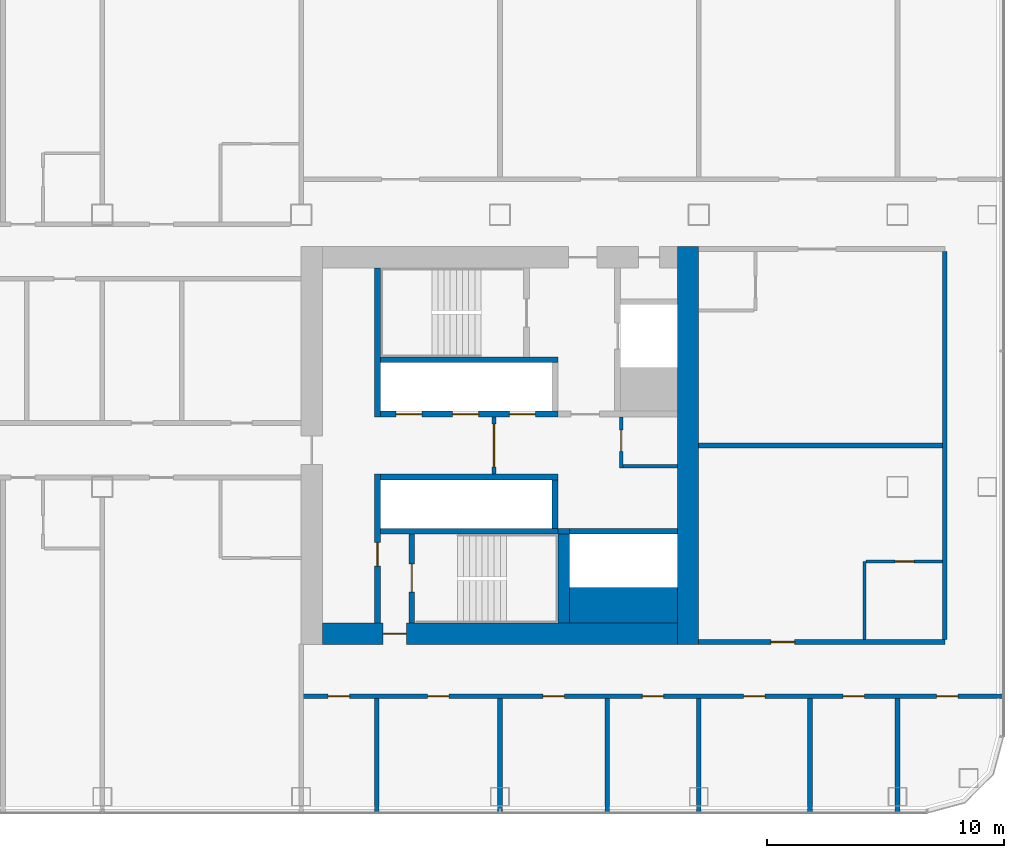
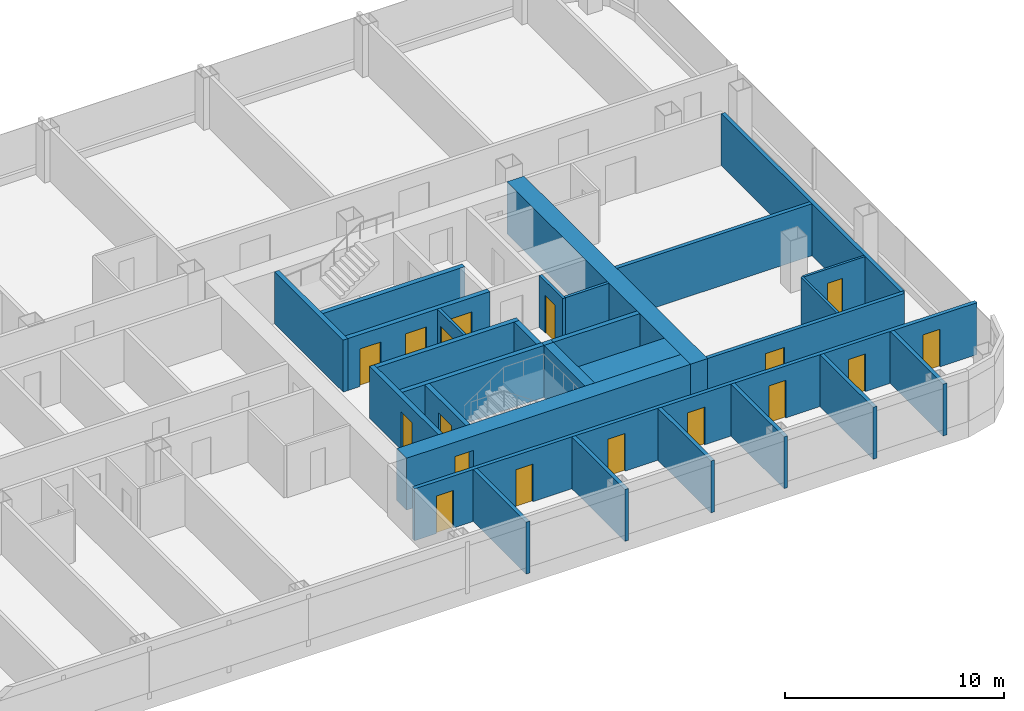
# One storey, part 19 of 29: 29 walls, 17 doors, 17 openings.
"""IFC4 building model written with IfcOpenShell, lengths in metres."""

from ifc_helpers import new_model, si_unit, direction, frame, frame_2d, origin, place, context, subcontext, project, spatial, rectangle, extrude, material, layer, layer_set, type_object, element, fill, save


model = new_model("IFC4")

# Units and contexts
model_context = context("Model", 3, precision=1e-05, world=origin(), true_north=direction((0.0, 1.0)))
body_context = subcontext(model_context, "Body", "Model", "MODEL_VIEW")
ifc_project = project(units=[si_unit("LENGTHUNIT", "METRE"), si_unit("AREAUNIT", "SQUARE_METRE"), si_unit("VOLUMEUNIT", "CUBIC_METRE"), si_unit("PLANEANGLEUNIT", "RADIAN"), si_unit("MASSUNIT", "GRAM", prefix="KILO")], contexts=[model_context])

# Site, building, storey
site_placement = place(None, origin())
site = spatial("IfcSite", under=ifc_project, at=site_placement, CompositionType="ELEMENT")
building_placement = place(site_placement, origin())
building = spatial("IfcBuilding", under=site, at=building_placement, Name="Hakoniwa Tower and Hamabe Station Hall", CompositionType="ELEMENT")
storey_placement = place(building_placement, frame((0.0, 0.0, 117.0)))
storey = spatial("IfcBuildingStorey", under=building, at=storey_placement, Name="L33", CompositionType="ELEMENT", Elevation=117.0)

# Wall, opening, door
ifc_material_1 = material(Name="Gypsum board partition", Category="gypsum")
ifc_layer_1 = layer(ifc_material_1, 0.125)
ifc_layer_set_1 = layer_set([ifc_layer_1], Name="Bathroom Partition 125")
wall_type_1 = type_object("IfcWallType", Name="Bathroom Partition 125", PredefinedType="PARTITIONING", material=ifc_layer_set_1)
wall_1_placement = place(storey_placement, frame((40.66259765625, -4.89990234375, 0.0), z_axis=(0.0, 0.0, 1.0), x_axis=(1.0, 0.0, 0.0)))
wall_1 = element("IfcWall", 1, at=wall_1_placement, inside=storey, type_object=wall_type_1, Name="GW-L33-005", PredefinedType="PARTITIONING", context=body_context, shape_type="SweptSolid", body=[
    extrude(rectangle(XDim=3.2373046875, YDim=0.125, at=frame_2d((1.61865234375, 0.0))), origin(), (0.0, 0.0, 1.0), 2.89990234375),
])
opening_1_placement = place(wall_1_placement, frame((1.237548828125, 0.0, 0.0)))
opening_1 = element("IfcOpeningElement", 2, at=opening_1_placement, cuts=wall_1, Name="Opening GD-G2D2-18", PredefinedType="OPENING", context=body_context, shape_type="SweptSolid", body=[
    extrude(rectangle(XDim=0.800048828125, YDim=2.10009765625, at=frame_2d((0.39990234375, 1.050048828125))), frame((0.0, 0.072509765625, 0.0), z_axis=(0.0, -1.0, 0.0), x_axis=(1.0, 0.0, 0.0)), (0.0, 0.0, 1.0), 0.14501953125),
])
ifc_material_2 = material(Name="Timber door leaf", Category="wood")
door_type_1 = type_object("IfcDoorType", Name="Bathroom Door 800", OperationType="SINGLE_SWING_LEFT", PredefinedType="DOOR", material=ifc_material_2)
door_1_placement = place(opening_1_placement, origin())
door_1 = element("IfcDoor", 3, at=door_1_placement, inside=storey, type_object=door_type_1, Name="Door GD-G2D2-18", OperationType="SINGLE_SWING_LEFT", OverallHeight=2.10009765625, OverallWidth=0.800048828125, PredefinedType="DOOR", context=body_context, shape_type="SweptSolid", body=[
    extrude(rectangle(XDim=0.800048828125, YDim=2.10009765625, at=frame_2d((0.39990234375, 1.050048828125))), frame((0.0, 0.02490234375, 0.0), z_axis=(0.0, -1.0, 0.0), x_axis=(1.0, 0.0, 0.0)), (0.0, 0.0, 1.0), 0.050048828125),
])
fill(opening_1, door_1)

# Wall
wall_2_placement = place(storey_placement, frame((40.60009765625, -8.199951171875, 0.0), z_axis=(0.0, 0.0, 1.0), x_axis=(0.0, 1.0, 0.0)))
element("IfcWall", 4, at=wall_2_placement, inside=storey, type_object=wall_type_1, Name="GW-L33-083", PredefinedType="PARTITIONING", context=body_context, shape_type="SweptSolid", body=[
    extrude(rectangle(XDim=3.300048828125, YDim=0.125, at=frame_2d((1.64990234375, 0.0))), origin(), (0.0, 0.0, 1.0), 2.89990234375),
])

# Wall, opening, door
ifc_material_3 = material(Name="Gypsum board partition")
ifc_layer_2 = layer(ifc_material_3, 0.14990234375)
ifc_layer_set_2 = layer_set([ifc_layer_2], Name="CORE PARTITION 150 EI 60")
wall_type_2 = type_object("IfcWallType", Name="CORE PARTITION 150 EI 60", PredefinedType="PARTITIONING", material=ifc_layer_set_2)
wall_3_placement = place(storey_placement, frame((24.949951171875, -1.199951171875, 0.0), z_axis=(0.0, 0.0, 1.0), x_axis=(0.0, 1.0, 0.0)))
wall_3 = element("IfcWall", 5, at=wall_3_placement, inside=storey, type_object=wall_type_2, Name="Core partition PL0 east", PredefinedType="PARTITIONING", context=body_context, shape_type="SweptSolid", body=[
    extrude(rectangle(XDim=2.39990234375, YDim=0.14990234375, at=frame_2d((1.199951171875, 0.0))), origin(), (0.0, 0.0, 1.0), 2.89990234375),
])
opening_2_placement = place(wall_3_placement, frame((0.300048828125, 0.0, 0.0)))
opening_2 = element("IfcOpeningElement", 6, at=opening_2_placement, cuts=wall_3, Name="Opening CD-E-LP0-18", PredefinedType="OPENING", context=body_context, shape_type="SweptSolid", body=[
    extrude(rectangle(XDim=1.800048828125, YDim=2.10009765625, at=frame_2d((0.89990234375, 1.050048828125))), frame((0.0, 0.0849609375, 0.0), z_axis=(0.0, -1.0, 0.0), x_axis=(1.0, 0.0, 0.0)), (0.0, 0.0, 1.0), 0.169921875),
])
ifc_material_4 = material(Name="Steel fire door", Category="steel")
door_type_2 = type_object("IfcDoorType", Name="CORE DOOR 1800 FD60", OperationType="DOUBLE_DOOR_SINGLE_SWING", PredefinedType="DOOR", material=ifc_material_4)
door_2_placement = place(opening_2_placement, origin())
door_2 = element("IfcDoor", 7, at=door_2_placement, inside=storey, type_object=door_type_2, Name="Lift lobby partition door", OperationType="DOUBLE_DOOR_SINGLE_SWING", OverallHeight=2.10009765625, OverallWidth=1.800048828125, PredefinedType="DOOR", context=body_context, shape_type="SweptSolid", body=[
    extrude(rectangle(XDim=1.800048828125, YDim=2.10009765625, at=frame_2d((0.89990234375, 1.050048828125))), frame((0.0, 0.02490234375, 0.0), z_axis=(0.0, -1.0, 0.0), x_axis=(1.0, 0.0, 0.0)), (0.0, 0.0, 1.0), 0.050048828125),
])
fill(opening_2, door_2)

wall_4_placement = place(storey_placement, frame((30.324951171875, -0.949951171875, 0.0), z_axis=(0.0, 0.0, 1.0), x_axis=(0.0, 1.0, 0.0)))
wall_4 = element("IfcWall", 8, at=wall_4_placement, inside=storey, type_object=wall_type_2, Name="Core partition PW0 east", PredefinedType="PARTITIONING", context=body_context, shape_type="SweptSolid", body=[
    extrude(rectangle(XDim=2.14990234375, YDim=0.14990234375, at=frame_2d((1.074951171875, 0.0))), origin(), (0.0, 0.0, 1.0), 2.89990234375),
])
opening_3_placement = place(wall_4_placement, frame((0.699951171875, 0.0, 0.0)))
opening_3 = element("IfcOpeningElement", 9, at=opening_3_placement, cuts=wall_4, Name="Opening CD-E-RM1-9", PredefinedType="OPENING", context=body_context, shape_type="SweptSolid", body=[
    extrude(rectangle(XDim=0.89990234375, YDim=2.10009765625, at=frame_2d((0.449951171875, 1.050048828125))), frame((0.0, 0.0849609375, 0.0), z_axis=(0.0, -1.0, 0.0), x_axis=(1.0, 0.0, 0.0)), (0.0, 0.0, 1.0), 0.169921875),
])
ifc_material_5 = material(Name="Steel fire door", Category="steel")
door_type_3 = type_object("IfcDoorType", Name="CORE DOOR 900 FD30", OperationType="NOTDEFINED", PredefinedType="DOOR", material=ifc_material_5)
door_3_placement = place(opening_3_placement, origin())
door_3 = element("IfcDoor", 10, at=door_3_placement, inside=storey, type_object=door_type_3, Name="Store room door", OperationType="SINGLE_SWING_LEFT", OverallHeight=2.10009765625, OverallWidth=0.89990234375, PredefinedType="DOOR", context=body_context, shape_type="SweptSolid", body=[
    extrude(rectangle(XDim=0.89990234375, YDim=2.10009765625, at=frame_2d((0.449951171875, 1.050048828125))), frame((0.0, 0.02490234375, 0.0), z_axis=(0.0, -1.0, 0.0), x_axis=(1.0, 0.0, 0.0)), (0.0, 0.0, 1.0), 0.050048828125),
])
fill(opening_3, door_3)

# Walls
wall_5_placement = place(storey_placement, frame((30.39990234375, -0.875, 0.0), z_axis=(0.0, 0.0, 1.0), x_axis=(1.0, 0.0, 0.0)))
element("IfcWall", 11, at=wall_5_placement, inside=storey, type_object=wall_type_2, Name="Core partition PS east", PredefinedType="PARTITIONING", context=body_context, shape_type="SweptSolid", body=[
    extrude(rectangle(XDim=2.300048828125, YDim=0.14990234375, at=frame_2d((1.14990234375, 0.0))), origin(), (0.0, 0.0, 1.0), 2.89990234375),
])
ifc_material_6 = material(Name="Concrete C72", Category="concrete")
ifc_layer_3 = layer(ifc_material_6, 0.89990234375)
ifc_layer_set_3 = layer_set([ifc_layer_3], Name="CORE WALL 900 C72")
wall_type_3 = type_object("IfcWallType", Name="CORE WALL 900 C72", PredefinedType="SHEAR", material=ifc_layer_set_3)
wall_6_placement = place(storey_placement, frame((33.14990234375, -8.39990234375, 0.0), z_axis=(0.0, 0.0, 1.0), x_axis=(0.0, 1.0, 0.0)))
element("IfcWall", 12, at=wall_6_placement, inside=storey, type_object=wall_type_3, Name="Core wall OUTER east", PredefinedType="SHEAR", context=body_context, shape_type="SweptSolid", body=[
    extrude(rectangle(XDim=16.7998046875, YDim=0.89990234375, at=frame_2d((8.39990234375, 0.0))), origin(), (0.0, 0.0, 1.0), 2.89990234375),
])

# Wall, opening, door
wall_7_placement = place(storey_placement, frame((17.699951171875, -7.949951171875, 0.0), z_axis=(0.0, 0.0, 1.0), x_axis=(1.0, 0.0, 0.0)))
wall_7 = element("IfcWall", 13, at=wall_7_placement, inside=storey, type_object=wall_type_3, Name="Core wall SOUTH east", PredefinedType="SHEAR", context=body_context, shape_type="SweptSolid", body=[
    extrude(rectangle(XDim=15.0, YDim=0.89990234375, at=frame_2d((7.5, 0.0))), origin(), (0.0, 0.0, 1.0), 2.89990234375),
])
opening_4_placement = place(wall_7_placement, frame((2.550048828125, 0.0, 0.0)))
opening_4 = element("IfcOpeningElement", 14, at=opening_4_placement, cuts=wall_7, Name="Opening CD-E-FS3-10", PredefinedType="OPENING", context=body_context, shape_type="SweptSolid", body=[
    extrude(rectangle(XDim=1.0, YDim=2.10009765625, at=frame_2d((0.5, 1.050048828125))), frame((0.0, 0.4599609375, 0.0), z_axis=(0.0, -1.0, 0.0), x_axis=(1.0, 0.0, 0.0)), (0.0, 0.0, 1.0), 0.919921875),
])
ifc_material_7 = material(Name="Steel fire door", Category="steel")
door_type_4 = type_object("IfcDoorType", Name="CORE DOOR 1000 FD60", OperationType="NOTDEFINED", PredefinedType="DOOR", material=ifc_material_7)
door_4_placement = place(opening_4_placement, origin())
door_4 = element("IfcDoor", 15, at=door_4_placement, inside=storey, type_object=door_type_4, Name="Stair vestibule door", OperationType="SINGLE_SWING_RIGHT", OverallHeight=2.10009765625, OverallWidth=1.0, PredefinedType="DOOR", context=body_context, shape_type="SweptSolid", body=[
    extrude(rectangle(XDim=1.0, YDim=2.10009765625, at=frame_2d((0.5, 1.050048828125))), frame((0.0, 0.02490234375, 0.0), z_axis=(0.0, -1.0, 0.0), x_axis=(1.0, 0.0, 0.0)), (0.0, 0.0, 1.0), 0.050048828125),
])
fill(opening_4, door_4)

# Walls
ifc_material_8 = material(Name="Concrete C72", Category="concrete")
ifc_layer_4 = layer(ifc_material_8, 1.5)
ifc_layer_set_4 = layer_set([ifc_layer_4], Name="CORE WEB WALL 1500 C72")
wall_type_4 = type_object("IfcWallType", Name="CORE WEB WALL 1500 C72", PredefinedType="SHEAR", material=ifc_layer_set_4)
wall_8_placement = place(storey_placement, frame((28.14990234375, -6.75, 0.0), z_axis=(0.0, 0.0, 1.0), x_axis=(1.0, 0.0, 0.0)))
element("IfcWall", 16, at=wall_8_placement, inside=storey, type_object=wall_type_4, Name="Core wall SER east", PredefinedType="SHEAR", context=body_context, shape_type="SweptSolid", body=[
    extrude(rectangle(XDim=4.550048828125, YDim=1.5, at=frame_2d((2.27490234375, 0.0))), origin(), (0.0, 0.0, 1.0), 2.89990234375),
])
ifc_material_9 = material(Name="Concrete C72", Category="concrete")
ifc_layer_5 = layer(ifc_material_9, 0.25)
ifc_layer_set_5 = layer_set([ifc_layer_5], Name="CORE WEB WALL 250 C72")
wall_type_5 = type_object("IfcWallType", Name="CORE WEB WALL 250 C72", PredefinedType="SHEAR", material=ifc_layer_set_5)
wall_9_placement = place(storey_placement, frame((20.02490234375, 1.199951171875, 0.0), z_axis=(0.0, 0.0, 1.0), x_axis=(0.0, 1.0, 0.0)))
element("IfcWall", 17, at=wall_9_placement, inside=storey, type_object=wall_type_5, Name="Core wall W1N east", PredefinedType="SHEAR", context=body_context, shape_type="SweptSolid", body=[
    extrude(rectangle(XDim=6.300048828125, YDim=0.25, at=frame_2d((3.14990234375, 0.0))), origin(), (0.0, 0.0, 1.0), 2.89990234375),
])

# Wall, opening, door
wall_10_placement = place(storey_placement, frame((20.02490234375, -7.5, 0.0), z_axis=(0.0, 0.0, 1.0), x_axis=(0.0, 1.0, 0.0)))
wall_10 = element("IfcWall", 18, at=wall_10_placement, inside=storey, type_object=wall_type_5, Name="Core wall W1S east", PredefinedType="SHEAR", context=body_context, shape_type="SweptSolid", body=[
    extrude(rectangle(XDim=6.300048828125, YDim=0.25, at=frame_2d((3.14990234375, 0.0))), origin(), (0.0, 0.0, 1.0), 2.89990234375),
])
opening_5_placement = place(wall_10_placement, frame((2.39990234375, 0.0, 0.0)))
opening_5 = element("IfcOpeningElement", 19, at=opening_5_placement, cuts=wall_10, Name="Opening CD-E-VS-10", PredefinedType="OPENING", context=body_context, shape_type="SweptSolid", body=[
    extrude(rectangle(XDim=1.0, YDim=2.10009765625, at=frame_2d((0.5, 1.050048828125))), frame((0.0, 0.135009765625, 0.0), z_axis=(0.0, -1.0, 0.0), x_axis=(1.0, 0.0, 0.0)), (0.0, 0.0, 1.0), 0.27001953125),
])
door_5_placement = place(opening_5_placement, origin())
door_5 = element("IfcDoor", 20, at=door_5_placement, inside=storey, type_object=door_type_4, Name="Stair vestibule door", OperationType="SINGLE_SWING_RIGHT", OverallHeight=2.10009765625, OverallWidth=1.0, PredefinedType="DOOR", context=body_context, shape_type="SweptSolid", body=[
    extrude(rectangle(XDim=1.0, YDim=2.10009765625, at=frame_2d((0.5, 1.050048828125))), frame((0.0, 0.02490234375, 0.0), z_axis=(0.0, -1.0, 0.0), x_axis=(1.0, 0.0, 0.0)), (0.0, 0.0, 1.0), 0.050048828125),
])
fill(opening_5, door_5)

# Wall, openings, doors
wall_11_placement = place(storey_placement, frame((20.14990234375, 1.324951171875, 0.0), z_axis=(0.0, 0.0, 1.0), x_axis=(1.0, 0.0, 0.0)))
wall_11 = element("IfcWall", 21, at=wall_11_placement, inside=storey, type_object=wall_type_5, Name="Core wall NF east", PredefinedType="SHEAR", context=body_context, shape_type="SweptSolid", body=[
    extrude(rectangle(XDim=7.5, YDim=0.25, at=frame_2d((3.75, 0.0))), origin(), (0.0, 0.0, 1.0), 2.89990234375),
])
opening_6_placement = place(wall_11_placement, frame((0.64990234375, 0.0, 0.0)))
opening_6 = element("IfcOpeningElement", 22, at=opening_6_placement, cuts=wall_11, Name="Opening LD-LR4", PredefinedType="OPENING", context=body_context, shape_type="SweptSolid", body=[
    extrude(rectangle(XDim=1.10009765625, YDim=2.10009765625, at=frame_2d((0.550048828125, 1.050048828125))), frame((0.0, 0.135009765625, 0.0), z_axis=(0.0, -1.0, 0.0), x_axis=(1.0, 0.0, 0.0)), (0.0, 0.0, 1.0), 0.27001953125),
])
opening_7_placement = place(wall_11_placement, frame((3.050048828125, 0.0, 0.0)))
opening_7 = element("IfcOpeningElement", 23, at=opening_7_placement, cuts=wall_11, Name="Opening LD-LR5", PredefinedType="OPENING", context=body_context, shape_type="SweptSolid", body=[
    extrude(rectangle(XDim=1.10009765625, YDim=2.10009765625, at=frame_2d((0.550048828125, 1.050048828125))), frame((0.0, 0.135009765625, 0.0), z_axis=(0.0, -1.0, 0.0), x_axis=(1.0, 0.0, 0.0)), (0.0, 0.0, 1.0), 0.27001953125),
])
opening_8_placement = place(wall_11_placement, frame((5.449951171875, 0.0, 0.0)))
opening_8 = element("IfcOpeningElement", 24, at=opening_8_placement, cuts=wall_11, Name="Opening LD-LR6", PredefinedType="OPENING", context=body_context, shape_type="SweptSolid", body=[
    extrude(rectangle(XDim=1.10009765625, YDim=2.10009765625, at=frame_2d((0.550048828125, 1.050048828125))), frame((0.0, 0.135009765625, 0.0), z_axis=(0.0, -1.0, 0.0), x_axis=(1.0, 0.0, 0.0)), (0.0, 0.0, 1.0), 0.27001953125),
])
ifc_material_10 = material(Name="Stainless steel SUS304", Category="steel")
door_type_5 = type_object("IfcDoorType", Name="LIFT LANDING DOOR 1100 FD60", OperationType="DOUBLE_DOOR_SLIDING", PredefinedType="DOOR", material=ifc_material_10)
door_6_placement = place(opening_6_placement, origin())
door_6 = element("IfcDoor", 25, at=door_6_placement, inside=storey, type_object=door_type_5, Name="Lift landing door LR4 L33", OperationType="DOUBLE_DOOR_SLIDING", OverallHeight=2.10009765625, OverallWidth=1.10009765625, PredefinedType="DOOR", context=body_context, shape_type="SweptSolid", body=[
    extrude(rectangle(XDim=1.10009765625, YDim=2.10009765625, at=frame_2d((0.550048828125, 1.050048828125))), frame((0.0, 0.02490234375, 0.0), z_axis=(0.0, -1.0, 0.0), x_axis=(1.0, 0.0, 0.0)), (0.0, 0.0, 1.0), 0.050048828125),
])
fill(opening_6, door_6)
door_7_placement = place(opening_7_placement, origin())
door_7 = element("IfcDoor", 26, at=door_7_placement, inside=storey, type_object=door_type_5, Name="Lift landing door LR5 L33", OperationType="DOUBLE_DOOR_SLIDING", OverallHeight=2.10009765625, OverallWidth=1.10009765625, PredefinedType="DOOR", context=body_context, shape_type="SweptSolid", body=[
    extrude(rectangle(XDim=1.10009765625, YDim=2.10009765625, at=frame_2d((0.550048828125, 1.050048828125))), frame((0.0, 0.02490234375, 0.0), z_axis=(0.0, -1.0, 0.0), x_axis=(1.0, 0.0, 0.0)), (0.0, 0.0, 1.0), 0.050048828125),
])
fill(opening_7, door_7)
door_8_placement = place(opening_8_placement, origin())
door_8 = element("IfcDoor", 27, at=door_8_placement, inside=storey, type_object=door_type_5, Name="Lift landing door LR6 L33", OperationType="DOUBLE_DOOR_SLIDING", OverallHeight=2.10009765625, OverallWidth=1.10009765625, PredefinedType="DOOR", context=body_context, shape_type="SweptSolid", body=[
    extrude(rectangle(XDim=1.10009765625, YDim=2.10009765625, at=frame_2d((0.550048828125, 1.050048828125))), frame((0.0, 0.02490234375, 0.0), z_axis=(0.0, -1.0, 0.0), x_axis=(1.0, 0.0, 0.0)), (0.0, 0.0, 1.0), 0.050048828125),
])
fill(opening_8, door_8)

# Walls
for number, where, z_axis, x_axis, name in (
    (28, (20.14990234375, 3.625, 0.0), (0.0, 0.0, 1.0), (1.0, 0.0, 0.0), "Core wall NR east"),
    (29, (20.14990234375, -1.324951171875, 0.0), (0.0, 0.0, 1.0), (1.0, 0.0, 0.0), "Core wall SF east"),
):
    element("IfcWall", number, at=place(storey_placement, frame(where, z_axis=z_axis, x_axis=x_axis)), inside=storey, type_object=wall_type_5, Name=name, PredefinedType="SHEAR", context=body_context, shape_type="SweptSolid", body=[
        extrude(rectangle(XDim=7.5, YDim=0.25, at=frame_2d((3.75, 0.0))), origin(), (0.0, 0.0, 1.0), 2.89990234375),
    ])
wall_12_placement = place(storey_placement, frame((27.52490234375, -3.5, 0.0), z_axis=(0.0, 0.0, 1.0), x_axis=(0.0, 1.0, 0.0)))
element("IfcWall", 30, at=wall_12_placement, inside=storey, type_object=wall_type_5, Name="Core wall SE east", PredefinedType="SHEAR", context=body_context, shape_type="SweptSolid", body=[
    extrude(rectangle(XDim=2.050048828125, YDim=0.25, at=frame_2d((1.02490234375, 0.0))), origin(), (0.0, 0.0, 1.0), 2.89990234375),
])
wall_13_placement = place(storey_placement, frame((20.14990234375, -3.625, 0.0), z_axis=(0.0, 0.0, 1.0), x_axis=(1.0, 0.0, 0.0)))
element("IfcWall", 31, at=wall_13_placement, inside=storey, type_object=wall_type_5, Name="Core wall SR east", PredefinedType="SHEAR", context=body_context, shape_type="SweptSolid", body=[
    extrude(rectangle(XDim=7.5, YDim=0.25, at=frame_2d((3.75, 0.0))), origin(), (0.0, 0.0, 1.0), 2.89990234375),
])

# Wall, opening, door
wall_14_placement = place(storey_placement, frame((21.47509765625, -7.5, 0.0), z_axis=(0.0, 0.0, 1.0), x_axis=(0.0, 1.0, 0.0)))
wall_14 = element("IfcWall", 32, at=wall_14_placement, inside=storey, type_object=wall_type_5, Name="Core wall VE east", PredefinedType="SHEAR", context=body_context, shape_type="SweptSolid", body=[
    extrude(rectangle(XDim=3.75, YDim=0.25, at=frame_2d((1.875, 0.0))), origin(), (0.0, 0.0, 1.0), 2.89990234375),
])
opening_9_placement = place(wall_14_placement, frame((1.300048828125, 0.0, 0.0)))
opening_9 = element("IfcOpeningElement", 33, at=opening_9_placement, cuts=wall_14, Name="Opening CD-E-SS-12", PredefinedType="OPENING", context=body_context, shape_type="SweptSolid", body=[
    extrude(rectangle(XDim=1.199951171875, YDim=2.10009765625, at=frame_2d((0.60009765625, 1.050048828125))), frame((0.0, 0.135009765625, 0.0), z_axis=(0.0, -1.0, 0.0), x_axis=(1.0, 0.0, 0.0)), (0.0, 0.0, 1.0), 0.27001953125),
])
ifc_material_11 = material(Name="Steel fire door", Category="steel")
door_type_6 = type_object("IfcDoorType", Name="CORE DOOR 1200 FD60", OperationType="DOUBLE_DOOR_SINGLE_SWING", PredefinedType="DOOR", material=ifc_material_11)
door_9_placement = place(opening_9_placement, origin())
door_9 = element("IfcDoor", 34, at=door_9_placement, inside=storey, type_object=door_type_6, Name="Escape stair door", OperationType="DOUBLE_DOOR_SINGLE_SWING", OverallHeight=2.10009765625, OverallWidth=1.199951171875, PredefinedType="DOOR", context=body_context, shape_type="SweptSolid", body=[
    extrude(rectangle(XDim=1.199951171875, YDim=2.10009765625, at=frame_2d((0.60009765625, 1.050048828125))), frame((0.0, 0.02490234375, 0.0), z_axis=(0.0, -1.0, 0.0), x_axis=(1.0, 0.0, 0.0)), (0.0, 0.0, 1.0), 0.050048828125),
])
fill(opening_9, door_9)

# Walls
wall_15_placement = place(storey_placement, frame((28.14990234375, -3.625, 0.0), z_axis=(0.0, 0.0, 1.0), x_axis=(1.0, 0.0, 0.0)))
element("IfcWall", 35, at=wall_15_placement, inside=storey, type_object=wall_type_5, Name="Core wall SEF east", PredefinedType="SHEAR", context=body_context, shape_type="SweptSolid", body=[
    extrude(rectangle(XDim=4.550048828125, YDim=0.25, at=frame_2d((2.27490234375, 0.0))), origin(), (0.0, 0.0, 1.0), 2.89990234375),
])
wall_16_placement = place(storey_placement, frame((27.64990234375, -3.625, 0.0), z_axis=(0.0, 0.0, 1.0), x_axis=(1.0, 0.0, 0.0)))
element("IfcWall", 36, at=wall_16_placement, inside=storey, type_object=wall_type_5, Name="Core wall SRK east", PredefinedType="SHEAR", context=body_context, shape_type="SweptSolid", body=[
    extrude(rectangle(XDim=0.5, YDim=0.25, at=frame_2d((0.25, 0.0))), origin(), (0.0, 0.0, 1.0), 2.89990234375),
])
ifc_material_12 = material(Name="Concrete C72", Category="concrete")
ifc_layer_6 = layer(ifc_material_12, 0.5)
ifc_layer_set_6 = layer_set([ifc_layer_6], Name="CORE WEB WALL 500 C72")
wall_type_6 = type_object("IfcWallType", Name="CORE WEB WALL 500 C72", PredefinedType="SHEAR", material=ifc_layer_set_6)
wall_17_placement = place(storey_placement, frame((27.89990234375, -7.5, 0.0), z_axis=(0.0, 0.0, 1.0), x_axis=(0.0, 1.0, 0.0)))
element("IfcWall", 37, at=wall_17_placement, inside=storey, type_object=wall_type_6, Name="Core wall SSE east", PredefinedType="SHEAR", context=body_context, shape_type="SweptSolid", body=[
    extrude(rectangle(XDim=3.75, YDim=0.5, at=frame_2d((1.875, 0.0))), origin(), (0.0, 0.0, 1.0), 2.89990234375),
])

# Wall, openings, doors
ifc_material_13 = material(Name="Fire-rated gypsum board partition", Category="gypsum")
ifc_layer_7 = layer(ifc_material_13, 0.199951171875)
ifc_layer_set_7 = layer_set([ifc_layer_7], Name="Corridor Wall 200")
wall_type_7 = type_object("IfcWallType", Name="Corridor Wall 200", PredefinedType="PARTITIONING", material=ifc_layer_set_7)
wall_18_placement = place(storey_placement, frame((16.800048828125, -10.60009765625, 0.0), z_axis=(0.0, 0.0, 1.0), x_axis=(1.0, 0.0, 0.0)))
wall_18 = element("IfcWall", 38, at=wall_18_placement, inside=storey, type_object=wall_type_7, Name="GW-L33-002", PredefinedType="PARTITIONING", context=body_context, shape_type="SweptSolid", body=[
    extrude(rectangle(XDim=29.699951171875, YDim=0.199951171875, at=frame_2d((14.85009765625, 0.0))), origin(), (0.0, 0.0, 1.0), 2.89990234375),
])
opening_10_placement = place(wall_18_placement, frame((1.14501953125, 0.0, 0.0)))
opening_10 = element("IfcOpeningElement", 39, at=opening_10_placement, cuts=wall_18, Name="Opening GD-G2D2-08", PredefinedType="OPENING", context=body_context, shape_type="SweptSolid", body=[
    extrude(rectangle(XDim=0.89990234375, YDim=2.10009765625, at=frame_2d((0.449951171875, 1.050048828125))), frame((0.0, 0.10986328125, 0.0), z_axis=(0.0, -1.0, 0.0), x_axis=(1.0, 0.0, 0.0)), (0.0, 0.0, 1.0), 0.219970703125),
])
opening_11_placement = place(wall_18_placement, frame((5.344970703125, 0.0, 0.0)))
opening_11 = element("IfcOpeningElement", 40, at=opening_11_placement, cuts=wall_18, Name="Opening GD-G2D2-09", PredefinedType="OPENING", context=body_context, shape_type="SweptSolid", body=[
    extrude(rectangle(XDim=0.89990234375, YDim=2.10009765625, at=frame_2d((0.449951171875, 1.050048828125))), frame((0.0, 0.10986328125, 0.0), z_axis=(0.0, -1.0, 0.0), x_axis=(1.0, 0.0, 0.0)), (0.0, 0.0, 1.0), 0.219970703125),
])
opening_12_placement = place(wall_18_placement, frame((10.219970703125, 0.0, 0.0)))
opening_12 = element("IfcOpeningElement", 41, at=opening_12_placement, cuts=wall_18, Name="Opening GD-G2D2-10", PredefinedType="OPENING", context=body_context, shape_type="SweptSolid", body=[
    extrude(rectangle(XDim=0.89990234375, YDim=2.10009765625, at=frame_2d((0.449951171875, 1.050048828125))), frame((0.0, 0.10986328125, 0.0), z_axis=(0.0, -1.0, 0.0), x_axis=(1.0, 0.0, 0.0)), (0.0, 0.0, 1.0), 0.219970703125),
])
opening_13_placement = place(wall_18_placement, frame((14.419921875, 0.0, 0.0)))
opening_13 = element("IfcOpeningElement", 42, at=opening_13_placement, cuts=wall_18, Name="Opening GD-G2D2-11", PredefinedType="OPENING", context=body_context, shape_type="SweptSolid", body=[
    extrude(rectangle(XDim=0.89990234375, YDim=2.10009765625, at=frame_2d((0.449951171875, 1.050048828125))), frame((0.0, 0.10986328125, 0.0), z_axis=(0.0, -1.0, 0.0), x_axis=(1.0, 0.0, 0.0)), (0.0, 0.0, 1.0), 0.219970703125),
])
opening_14_placement = place(wall_18_placement, frame((18.699951171875, 0.0, 0.0)))
opening_14 = element("IfcOpeningElement", 43, at=opening_14_placement, cuts=wall_18, Name="Opening GD-G2D2-12", PredefinedType="OPENING", context=body_context, shape_type="SweptSolid", body=[
    extrude(rectangle(XDim=0.89990234375, YDim=2.10009765625, at=frame_2d((0.449951171875, 1.050048828125))), frame((0.0, 0.10986328125, 0.0), z_axis=(0.0, -1.0, 0.0), x_axis=(1.0, 0.0, 0.0)), (0.0, 0.0, 1.0), 0.219970703125),
])
opening_15_placement = place(wall_18_placement, frame((22.89990234375, 0.0, 0.0)))
opening_15 = element("IfcOpeningElement", 44, at=opening_15_placement, cuts=wall_18, Name="Opening GD-G2D2-13", PredefinedType="OPENING", context=body_context, shape_type="SweptSolid", body=[
    extrude(rectangle(XDim=0.89990234375, YDim=2.10009765625, at=frame_2d((0.449951171875, 1.050048828125))), frame((0.0, 0.10986328125, 0.0), z_axis=(0.0, -1.0, 0.0), x_axis=(1.0, 0.0, 0.0)), (0.0, 0.0, 1.0), 0.219970703125),
])
opening_16_placement = place(wall_18_placement, frame((26.85009765625, 0.0, 0.0)))
opening_16 = element("IfcOpeningElement", 45, at=opening_16_placement, cuts=wall_18, Name="Opening GD-G2D2-14", PredefinedType="OPENING", context=body_context, shape_type="SweptSolid", body=[
    extrude(rectangle(XDim=0.89990234375, YDim=2.10009765625, at=frame_2d((0.449951171875, 1.050048828125))), frame((0.0, 0.10986328125, 0.0), z_axis=(0.0, -1.0, 0.0), x_axis=(1.0, 0.0, 0.0)), (0.0, 0.0, 1.0), 0.219970703125),
])
ifc_material_14 = material(Name="Timber door leaf", Category="wood")
door_type_7 = type_object("IfcDoorType", Name="Service Door 900", OperationType="SINGLE_SWING_LEFT", PredefinedType="DOOR", material=ifc_material_14)
door_10_placement = place(opening_10_placement, origin())
door_10 = element("IfcDoor", 46, at=door_10_placement, inside=storey, type_object=door_type_7, Name="Door GD-G2D2-08", OperationType="SINGLE_SWING_RIGHT", OverallHeight=2.10009765625, OverallWidth=0.89990234375, PredefinedType="DOOR", context=body_context, shape_type="SweptSolid", body=[
    extrude(rectangle(XDim=0.89990234375, YDim=2.10009765625, at=frame_2d((0.449951171875, 1.050048828125))), frame((0.0, 0.02490234375, 0.0), z_axis=(0.0, -1.0, 0.0), x_axis=(1.0, 0.0, 0.0)), (0.0, 0.0, 1.0), 0.050048828125),
])
fill(opening_10, door_10)
door_11_placement = place(opening_11_placement, origin())
door_11 = element("IfcDoor", 47, at=door_11_placement, inside=storey, type_object=door_type_7, Name="Door GD-G2D2-09", OperationType="SINGLE_SWING_LEFT", OverallHeight=2.10009765625, OverallWidth=0.89990234375, PredefinedType="DOOR", context=body_context, shape_type="SweptSolid", body=[
    extrude(rectangle(XDim=0.89990234375, YDim=2.10009765625, at=frame_2d((0.449951171875, 1.050048828125))), frame((0.0, 0.02490234375, 0.0), z_axis=(0.0, -1.0, 0.0), x_axis=(1.0, 0.0, 0.0)), (0.0, 0.0, 1.0), 0.050048828125),
])
fill(opening_11, door_11)
door_12_placement = place(opening_12_placement, origin())
door_12 = element("IfcDoor", 48, at=door_12_placement, inside=storey, type_object=door_type_7, Name="Door GD-G2D2-10", OperationType="SINGLE_SWING_LEFT", OverallHeight=2.10009765625, OverallWidth=0.89990234375, PredefinedType="DOOR", context=body_context, shape_type="SweptSolid", body=[
    extrude(rectangle(XDim=0.89990234375, YDim=2.10009765625, at=frame_2d((0.449951171875, 1.050048828125))), frame((0.0, 0.02490234375, 0.0), z_axis=(0.0, -1.0, 0.0), x_axis=(1.0, 0.0, 0.0)), (0.0, 0.0, 1.0), 0.050048828125),
])
fill(opening_12, door_12)
door_13_placement = place(opening_13_placement, origin())
door_13 = element("IfcDoor", 49, at=door_13_placement, inside=storey, type_object=door_type_7, Name="Door GD-G2D2-11", OperationType="SINGLE_SWING_RIGHT", OverallHeight=2.10009765625, OverallWidth=0.89990234375, PredefinedType="DOOR", context=body_context, shape_type="SweptSolid", body=[
    extrude(rectangle(XDim=0.89990234375, YDim=2.10009765625, at=frame_2d((0.449951171875, 1.050048828125))), frame((0.0, 0.02490234375, 0.0), z_axis=(0.0, -1.0, 0.0), x_axis=(1.0, 0.0, 0.0)), (0.0, 0.0, 1.0), 0.050048828125),
])
fill(opening_13, door_13)
door_14_placement = place(opening_14_placement, origin())
door_14 = element("IfcDoor", 50, at=door_14_placement, inside=storey, type_object=door_type_7, Name="Door GD-G2D2-12", OperationType="SINGLE_SWING_LEFT", OverallHeight=2.10009765625, OverallWidth=0.89990234375, PredefinedType="DOOR", context=body_context, shape_type="SweptSolid", body=[
    extrude(rectangle(XDim=0.89990234375, YDim=2.10009765625, at=frame_2d((0.449951171875, 1.050048828125))), frame((0.0, 0.02490234375, 0.0), z_axis=(0.0, -1.0, 0.0), x_axis=(1.0, 0.0, 0.0)), (0.0, 0.0, 1.0), 0.050048828125),
])
fill(opening_14, door_14)
door_15_placement = place(opening_15_placement, origin())
door_15 = element("IfcDoor", 51, at=door_15_placement, inside=storey, type_object=door_type_7, Name="Door GD-G2D2-13", OperationType="SINGLE_SWING_RIGHT", OverallHeight=2.10009765625, OverallWidth=0.89990234375, PredefinedType="DOOR", context=body_context, shape_type="SweptSolid", body=[
    extrude(rectangle(XDim=0.89990234375, YDim=2.10009765625, at=frame_2d((0.449951171875, 1.050048828125))), frame((0.0, 0.02490234375, 0.0), z_axis=(0.0, -1.0, 0.0), x_axis=(1.0, 0.0, 0.0)), (0.0, 0.0, 1.0), 0.050048828125),
])
fill(opening_15, door_15)
door_16_placement = place(opening_16_placement, origin())
door_16 = element("IfcDoor", 52, at=door_16_placement, inside=storey, type_object=door_type_7, Name="Door GD-G2D2-14", OperationType="SINGLE_SWING_LEFT", OverallHeight=2.10009765625, OverallWidth=0.89990234375, PredefinedType="DOOR", context=body_context, shape_type="SweptSolid", body=[
    extrude(rectangle(XDim=0.89990234375, YDim=2.10009765625, at=frame_2d((0.449951171875, 1.050048828125))), frame((0.0, 0.02490234375, 0.0), z_axis=(0.0, -1.0, 0.0), x_axis=(1.0, 0.0, 0.0)), (0.0, 0.0, 1.0), 0.050048828125),
])
fill(opening_16, door_16)

# Wall, opening, door
wall_19_placement = place(storey_placement, frame((33.60009765625, -8.300048828125, 0.0), z_axis=(0.0, 0.0, 1.0), x_axis=(1.0, 0.0, 0.0)))
wall_19 = element("IfcWall", 53, at=wall_19_placement, inside=storey, type_object=wall_type_7, Name="GW-L33-004", PredefinedType="PARTITIONING", context=body_context, shape_type="SweptSolid", body=[
    extrude(rectangle(XDim=10.39990234375, YDim=0.199951171875, at=frame_2d((5.199951171875, 0.0))), origin(), (0.0, 0.0, 1.0), 2.89990234375),
])
opening_17_placement = place(wall_19_placement, frame((3.050048828125, 0.0, 0.0)))
opening_17 = element("IfcOpeningElement", 54, at=opening_17_placement, cuts=wall_19, Name="Opening GD-G2D2-17", PredefinedType="OPENING", context=body_context, shape_type="SweptSolid", body=[
    extrude(rectangle(XDim=1.0, YDim=2.10009765625, at=frame_2d((0.5, 1.050048828125))), frame((0.0, 0.10986328125, 0.0), z_axis=(0.0, -1.0, 0.0), x_axis=(1.0, 0.0, 0.0)), (0.0, 0.0, 1.0), 0.219970703125),
])
ifc_material_15 = material(Name="Timber door leaf", Category="wood")
door_type_8 = type_object("IfcDoorType", Name="Guest Entrance Door 1000", OperationType="SINGLE_SWING_LEFT", PredefinedType="DOOR", material=ifc_material_15)
door_17_placement = place(opening_17_placement, origin())
door_17 = element("IfcDoor", 55, at=door_17_placement, inside=storey, type_object=door_type_8, Name="Door GD-G2D2-17", OperationType="SINGLE_SWING_LEFT", OverallHeight=2.10009765625, OverallWidth=1.0, PredefinedType="DOOR", context=body_context, shape_type="SweptSolid", body=[
    extrude(rectangle(XDim=1.0, YDim=2.10009765625, at=frame_2d((0.5, 1.050048828125))), frame((0.0, 0.02490234375, 0.0), z_axis=(0.0, -1.0, 0.0), x_axis=(1.0, 0.0, 0.0)), (0.0, 0.0, 1.0), 0.050048828125),
])
fill(opening_17, door_17)

# Walls
ifc_material_16 = material(Name="Fire-rated gypsum board partition", Category="gypsum")
ifc_layer_8 = layer(ifc_material_16, 0.199951171875)
ifc_layer_set_8 = layer_set([ifc_layer_8], Name="Party Wall 200")
wall_type_8 = type_object("IfcWallType", Name="Party Wall 200", PredefinedType="PARTITIONING", material=ifc_layer_set_8)
wall_20_placement = place(storey_placement, frame((33.60009765625, 0.0, 0.0), z_axis=(0.0, 0.0, 1.0), x_axis=(1.0, 0.0, 0.0)))
element("IfcWall", 56, at=wall_20_placement, inside=storey, type_object=wall_type_8, Name="GW-L33-013", PredefinedType="PARTITIONING", context=body_context, shape_type="SweptSolid", body=[
    extrude(rectangle(XDim=10.2998046875, YDim=0.199951171875, at=frame_2d((5.14990234375, 0.0))), origin(), (0.0, 0.0, 1.0), 2.89990234375),
])
for number, where, z_axis, x_axis, name in (
    (57, (19.989990234375, -15.550048828125, 0.0), (0.0, 0.0, 1.0), (0.0, 1.0, 0.0), "GW-L33-075"),
    (58, (25.199951171875, -15.550048828125, 0.0), (0.0, 0.0, 1.0), (0.0, 1.0, 0.0), "GW-L33-076"),
    (59, (29.739990234375, -15.550048828125, 0.0), (0.0, 0.0, 1.0), (0.0, 1.0, 0.0), "GW-L33-078"),
    (60, (33.60009765625, -15.550048828125, 0.0), (0.0, 0.0, 1.0), (0.0, 1.0, 0.0), "GW-L33-079"),
    (61, (38.300048828125, -15.550048828125, 0.0), (0.0, 0.0, 1.0), (0.0, 1.0, 0.0), "GW-L33-082"),
    (62, (42.0, -15.550048828125, 0.0), (0.0, 0.0, 1.0), (0.0, 1.0, 0.0), "GW-L33-084"),
):
    element("IfcWall", number, at=place(storey_placement, frame(where, z_axis=z_axis, x_axis=x_axis)), inside=storey, type_object=wall_type_8, Name=name, PredefinedType="PARTITIONING", context=body_context, shape_type="SweptSolid", body=[
        extrude(rectangle(XDim=4.85009765625, YDim=0.199951171875, at=frame_2d((2.425048828125, 0.0))), origin(), (0.0, 0.0, 1.0), 2.89990234375),
    ])
wall_21_placement = place(storey_placement, frame((44.0, -8.199951171875, 0.0), z_axis=(0.0, 0.0, 1.0), x_axis=(0.0, 1.0, 0.0)))
element("IfcWall", 63, at=wall_21_placement, inside=storey, type_object=wall_type_8, Name="GW-L33-086", PredefinedType="PARTITIONING", context=body_context, shape_type="SweptSolid", body=[
    extrude(rectangle(XDim=16.39990234375, YDim=0.199951171875, at=frame_2d((8.199951171875, 0.0))), origin(), (0.0, 0.0, 1.0), 2.89990234375),
])

save(model, "model.ifc")
